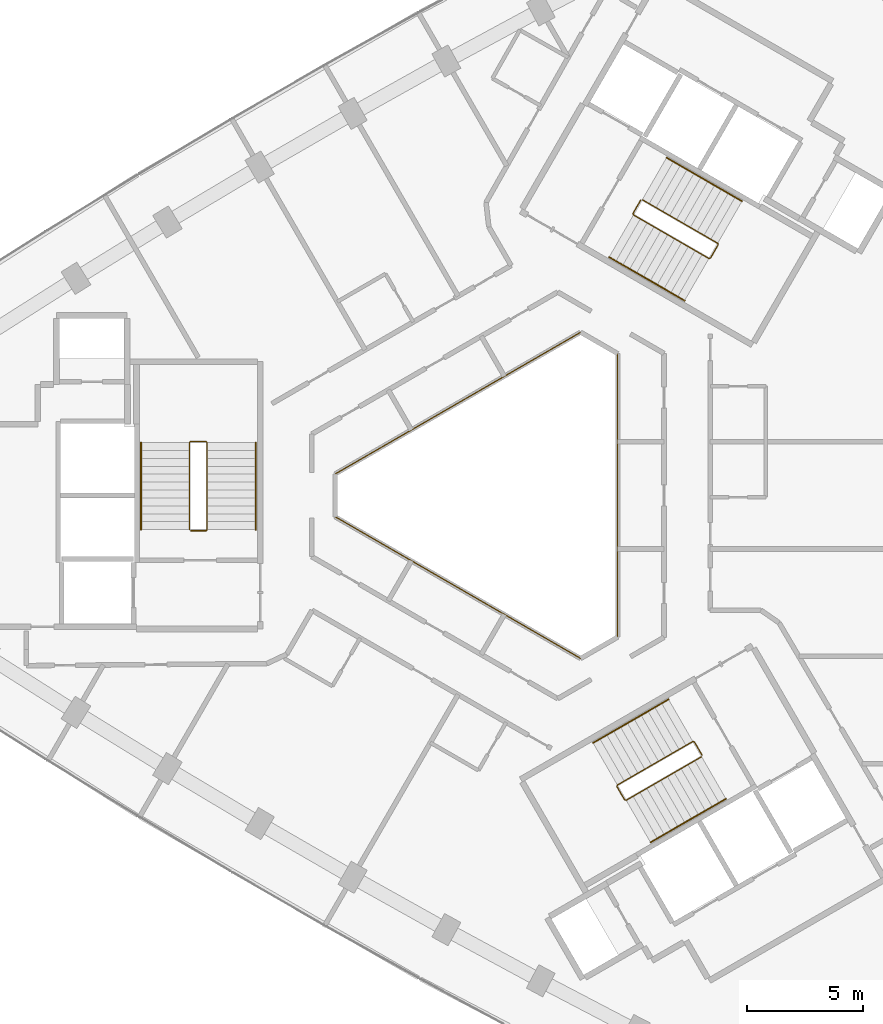
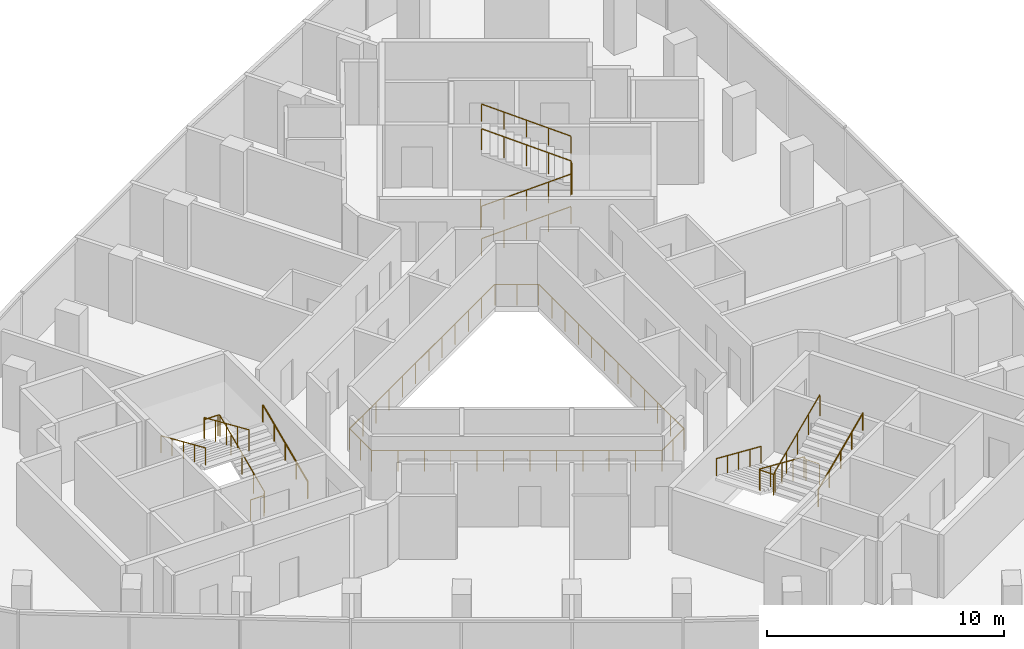
# One storey, part 12 of 12: 10 railings.
"""IFC4 building model written with IfcOpenShell, lengths in metres."""

from ifc_helpers import new_model, si_unit, direction, frame, origin, origin_2d, place, context, subcontext, project, spatial, circle, extrude, material, type_object, element, save


model = new_model("IFC4")

# Units and contexts
model_context = context("Model", 3, precision=1e-05, world=origin(), true_north=direction((0.0, 1.0)))
body_context = subcontext(model_context, "Body", "Model", "MODEL_VIEW")
ifc_project = project(units=[si_unit("LENGTHUNIT", "METRE"), si_unit("AREAUNIT", "SQUARE_METRE"), si_unit("VOLUMEUNIT", "CUBIC_METRE"), si_unit("PLANEANGLEUNIT", "RADIAN"), si_unit("MASSUNIT", "GRAM", prefix="KILO")], contexts=[model_context])

# Site, building, storey
site_placement = place(None, origin())
site = spatial("IfcSite", under=ifc_project, at=site_placement, CompositionType="ELEMENT")
building_placement = place(site_placement, origin())
building = spatial("IfcBuilding", under=site, at=building_placement, Name="Tamra Quay Hotel Tower", CompositionType="ELEMENT")
storey_placement = place(building_placement, frame((0.0, 0.0, 200.800048828125)))
storey = spatial("IfcBuildingStorey", under=building, at=storey_placement, Name="L50", CompositionType="ELEMENT", Elevation=200.800048828125)

# Railings
ifc_material_1 = material(Name="Guard atrium edge 1100")
railing_type_1 = type_object("IfcRailingType", Name="Guard atrium edge 1100", PredefinedType="GUARDRAIL", material=ifc_material_1)
railing_1_placement = place(storey_placement, frame((4.60009765625, -6.1201171875, 0.0)))
element("IfcRailing", 1, at=railing_1_placement, inside=storey, type_object=railing_type_1, Name="G-A", PredefinedType="GUARDRAIL", context=body_context, shape_type="SweptSolid", body=[
    extrude(circle(Radius=0.02392578125, at=origin_2d()), frame((0.0, 0.0, 1.076171875), z_axis=(-0.86602275259, -0.500004591975, 0.0), x_axis=(0.500004591975, -0.86602275259, 0.0)), (0.0, 0.0, 1.0), 1.84765625),
    extrude(circle(Radius=0.02392578125, at=origin_2d()), frame((-1.60009765625, -0.923828125, 1.076171875), z_axis=(-0.866028806638, 0.499994106039, 0.0), x_axis=(-0.499994106039, -0.866028806638, 0.0)), (0.0, 0.0, 1.0), 12.239990234375),
    extrude(circle(Radius=0.02392578125, at=origin_2d()), frame((-12.2001953125, 5.196044921875, 1.076171875), z_axis=(0.0, 1.0, 0.0), x_axis=(-1.0, 0.0, 0.0)), (0.0, 0.0, 1.0), 1.84814453125),
    extrude(circle(Radius=0.02392578125, at=origin_2d()), frame((-12.2001953125, 7.044189453125, 1.076171875), z_axis=(0.866028806638, 0.499994106039, 0.0), x_axis=(-0.499994106039, 0.866028806638, 0.0)), (0.0, 0.0, 1.0), 12.239990234375),
    extrude(circle(Radius=0.02392578125, at=origin_2d()), frame((-1.60009765625, 13.1640625, 1.076171875), z_axis=(0.86602275259, -0.500004591975, 0.0), x_axis=(0.500004591975, 0.86602275259, 0.0)), (0.0, 0.0, 1.0), 1.84765625),
    extrude(circle(Radius=0.02392578125, at=origin_2d()), frame((0.0, 12.240234375, 1.076171875), z_axis=(0.0, -1.0, 0.0), x_axis=(1.0, 0.0, 0.0)), (0.0, 0.0, 1.0), 12.240234375),
    extrude(circle(Radius=0.02099609375, at=origin_2d()), origin(), (0.0, 0.0, 1.0), 1.052001953125),
    extrude(circle(Radius=0.02099609375, at=origin_2d()), frame((-0.800048828125, -0.4619140625, 0.0)), (0.0, 0.0, 1.0), 1.052001953125),
    extrude(circle(Radius=0.02099609375, at=origin_2d()), frame((-1.60009765625, -0.923828125, 0.0)), (0.0, 0.0, 1.0), 1.052001953125),
    extrude(circle(Radius=0.02099609375, at=origin_2d()), frame((-2.563720703125, -0.367431640625, 0.0)), (0.0, 0.0, 1.0), 1.052001953125),
    extrude(circle(Radius=0.02099609375, at=origin_2d()), frame((-3.52734375, 0.18896484375, 0.0)), (0.0, 0.0, 1.0), 1.052001953125),
    extrude(circle(Radius=0.02099609375, at=origin_2d()), frame((-4.490966796875, 0.7451171875, 0.0)), (0.0, 0.0, 1.0), 1.052001953125),
    extrude(circle(Radius=0.02099609375, at=origin_2d()), frame((-5.45458984375, 1.301513671875, 0.0)), (0.0, 0.0, 1.0), 1.052001953125),
    extrude(circle(Radius=0.02099609375, at=origin_2d()), frame((-6.418212890625, 1.85791015625, 0.0)), (0.0, 0.0, 1.0), 1.052001953125),
    extrude(circle(Radius=0.02099609375, at=origin_2d()), frame((-7.382080078125, 2.414306640625, 0.0)), (0.0, 0.0, 1.0), 1.052001953125),
    extrude(circle(Radius=0.02099609375, at=origin_2d()), frame((-8.345703125, 2.970703125, 0.0)), (0.0, 0.0, 1.0), 1.052001953125),
    extrude(circle(Radius=0.02099609375, at=origin_2d()), frame((-9.309326171875, 3.527099609375, 0.0)), (0.0, 0.0, 1.0), 1.052001953125),
    extrude(circle(Radius=0.02099609375, at=origin_2d()), frame((-10.27294921875, 4.083251953125, 0.0)), (0.0, 0.0, 1.0), 1.052001953125),
    extrude(circle(Radius=0.02099609375, at=origin_2d()), frame((-11.236572265625, 4.6396484375, 0.0)), (0.0, 0.0, 1.0), 1.052001953125),
    extrude(circle(Radius=0.02099609375, at=origin_2d()), frame((-12.2001953125, 5.196044921875, 0.0)), (0.0, 0.0, 1.0), 1.052001953125),
    extrude(circle(Radius=0.02099609375, at=origin_2d()), frame((-12.2001953125, 6.1201171875, 0.0)), (0.0, 0.0, 1.0), 1.052001953125),
    extrude(circle(Radius=0.02099609375, at=origin_2d()), frame((-12.2001953125, 7.044189453125, 0.0)), (0.0, 0.0, 1.0), 1.052001953125),
    extrude(circle(Radius=0.02099609375, at=origin_2d()), frame((-11.236572265625, 7.6005859375, 0.0)), (0.0, 0.0, 1.0), 1.052001953125),
    extrude(circle(Radius=0.02099609375, at=origin_2d()), frame((-10.27294921875, 8.156982421875, 0.0)), (0.0, 0.0, 1.0), 1.052001953125),
    extrude(circle(Radius=0.02099609375, at=origin_2d()), frame((-9.309326171875, 8.713134765625, 0.0)), (0.0, 0.0, 1.0), 1.052001953125),
    extrude(circle(Radius=0.02099609375, at=origin_2d()), frame((-8.345703125, 9.26953125, 0.0)), (0.0, 0.0, 1.0), 1.052001953125),
    extrude(circle(Radius=0.02099609375, at=origin_2d()), frame((-7.382080078125, 9.825927734375, 0.0)), (0.0, 0.0, 1.0), 1.052001953125),
    extrude(circle(Radius=0.02099609375, at=origin_2d()), frame((-6.418212890625, 10.38232421875, 0.0)), (0.0, 0.0, 1.0), 1.052001953125),
    extrude(circle(Radius=0.02099609375, at=origin_2d()), frame((-5.45458984375, 10.938720703125, 0.0)), (0.0, 0.0, 1.0), 1.052001953125),
    extrude(circle(Radius=0.02099609375, at=origin_2d()), frame((-4.490966796875, 11.4951171875, 0.0)), (0.0, 0.0, 1.0), 1.052001953125),
    extrude(circle(Radius=0.02099609375, at=origin_2d()), frame((-3.52734375, 12.05126953125, 0.0)), (0.0, 0.0, 1.0), 1.052001953125),
    extrude(circle(Radius=0.02099609375, at=origin_2d()), frame((-2.563720703125, 12.607666015625, 0.0)), (0.0, 0.0, 1.0), 1.052001953125),
    extrude(circle(Radius=0.02099609375, at=origin_2d()), frame((-1.60009765625, 13.1640625, 0.0)), (0.0, 0.0, 1.0), 1.052001953125),
    extrude(circle(Radius=0.02099609375, at=origin_2d()), frame((-0.800048828125, 12.7021484375, 0.0)), (0.0, 0.0, 1.0), 1.052001953125),
    extrude(circle(Radius=0.02099609375, at=origin_2d()), frame((0.0, 12.240234375, 0.0)), (0.0, 0.0, 1.0), 1.052001953125),
    extrude(circle(Radius=0.02099609375, at=origin_2d()), frame((0.0, 11.12744140625, 0.0)), (0.0, 0.0, 1.0), 1.052001953125),
    extrude(circle(Radius=0.02099609375, at=origin_2d()), frame((0.0, 10.0146484375, 0.0)), (0.0, 0.0, 1.0), 1.052001953125),
    extrude(circle(Radius=0.02099609375, at=origin_2d()), frame((0.0, 8.902099609375, 0.0)), (0.0, 0.0, 1.0), 1.052001953125),
    extrude(circle(Radius=0.02099609375, at=origin_2d()), frame((0.0, 7.789306640625, 0.0)), (0.0, 0.0, 1.0), 1.052001953125),
    extrude(circle(Radius=0.02099609375, at=origin_2d()), frame((0.0, 6.676513671875, 0.0)), (0.0, 0.0, 1.0), 1.052001953125),
    extrude(circle(Radius=0.02099609375, at=origin_2d()), frame((0.0, 5.563720703125, 0.0)), (0.0, 0.0, 1.0), 1.052001953125),
    extrude(circle(Radius=0.02099609375, at=origin_2d()), frame((0.0, 4.450927734375, 0.0)), (0.0, 0.0, 1.0), 1.052001953125),
    extrude(circle(Radius=0.02099609375, at=origin_2d()), frame((0.0, 3.338134765625, 0.0)), (0.0, 0.0, 1.0), 1.052001953125),
    extrude(circle(Radius=0.02099609375, at=origin_2d()), frame((0.0, 2.2255859375, 0.0)), (0.0, 0.0, 1.0), 1.052001953125),
    extrude(circle(Radius=0.02099609375, at=origin_2d()), frame((0.0, 1.11279296875, 0.0)), (0.0, 0.0, 1.0), 1.052001953125),
])
ifc_material_2 = material(Name="Stair guard 1100")
railing_type_2 = type_object("IfcRailingType", Name="Stair guard 1100", PredefinedType="GUARDRAIL", material=ifc_material_2)
railing_2_placement = place(storey_placement, frame((-13.84130859375, -1.530029296875, 0.0)))
element("IfcRailing", 2, at=railing_2_placement, inside=storey, type_object=railing_type_2, Name="GR", PredefinedType="GUARDRAIL", context=body_context, shape_type="SweptSolid", body=[
    extrude(circle(Radius=0.02392578125, at=origin_2d()), frame((0.0, 0.0, 1.076171875), z_axis=(1.0, 0.0, 0.0), x_axis=(0.0, 1.0, 0.0)), (0.0, 0.0, 1.0), 0.658935546875),
    extrude(circle(Radius=0.02392578125, at=origin_2d()), frame((0.658935546875, 0.0, 1.076171875), z_axis=(0.301912943143, 0.301912943143, 0.904266083366), x_axis=(-0.707106781187, 0.707106781187, 0.0)), (0.0, 0.0, 1.0), 0.165771484375),
    extrude(circle(Radius=0.02392578125, at=origin_2d()), frame((0.708984375, 0.050048828125, 1.22607421875), z_axis=(0.0, 0.915773634228, 0.401694723457), x_axis=(-1.0, 0.0, 0.0)), (0.0, 0.0, 1.0), 4.10791015625),
    extrude(circle(Radius=0.02392578125, at=origin_2d()), frame((0.708984375, 3.81201171875, 2.8759765625), z_axis=(-0.708833529934, 0.705375805398, 0.0), x_axis=(-0.705375805398, -0.708833529934, 0.0)), (0.0, 0.0, 1.0), 0.070556640625),
    extrude(circle(Radius=0.02392578125, at=origin_2d()), frame((0.658935546875, 3.86181640625, 2.8759765625), z_axis=(-1.0, 0.0, 0.0), x_axis=(0.0, -1.0, 0.0)), (0.0, 0.0, 1.0), 0.658935546875),
    extrude(circle(Radius=0.02392578125, at=origin_2d()), frame((0.0, 3.86181640625, 2.8759765625), z_axis=(-0.302046947789, -0.300573548044, 0.904667443621), x_axis=(0.705375805398, -0.708833529934, 0.0)), (0.0, 0.0, 1.0), 0.165771484375),
    extrude(circle(Radius=0.02392578125, at=origin_2d()), frame((-0.050048828125, 3.81201171875, 3.02587890625), z_axis=(0.0, -0.915795495799, 0.401644880304), x_axis=(1.0, 0.0, 0.0)), (0.0, 0.0, 1.0), 4.10791015625),
    extrude(circle(Radius=0.02099609375, at=origin_2d()), origin(), (0.0, 0.0, 1.0), 1.052001953125),
    extrude(circle(Radius=0.02099609375, at=origin_2d()), frame((0.658935546875, 0.0, 0.0)), (0.0, 0.0, 1.0), 1.052001953125),
    extrude(circle(Radius=0.02099609375, at=origin_2d()), frame((0.708984375, 0.050048828125, 0.14990234375)), (0.0, 0.0, 1.0), 1.052001953125),
    extrude(circle(Radius=0.02099609375, at=origin_2d()), frame((0.708984375, 0.990478515625, 0.5625)), (0.0, 0.0, 1.0), 1.052001953125),
    extrude(circle(Radius=0.02099609375, at=origin_2d()), frame((0.708984375, 1.93115234375, 0.97509765625)), (0.0, 0.0, 1.0), 1.052001953125),
    extrude(circle(Radius=0.02099609375, at=origin_2d()), frame((0.708984375, 2.87158203125, 1.387451171875)), (0.0, 0.0, 1.0), 1.052001953125),
    extrude(circle(Radius=0.02099609375, at=origin_2d()), frame((0.708984375, 3.81201171875, 1.800048828125)), (0.0, 0.0, 1.0), 1.052001953125),
    extrude(circle(Radius=0.02099609375, at=origin_2d()), frame((0.658935546875, 3.86181640625, 1.800048828125)), (0.0, 0.0, 1.0), 1.052001953125),
    extrude(circle(Radius=0.02099609375, at=origin_2d()), frame((0.0, 3.86181640625, 1.800048828125)), (0.0, 0.0, 1.0), 1.052001953125),
    extrude(circle(Radius=0.02099609375, at=origin_2d()), frame((-0.050048828125, 3.81201171875, 1.949951171875)), (0.0, 0.0, 1.0), 1.052001953125),
    extrude(circle(Radius=0.02099609375, at=origin_2d()), frame((-0.050048828125, 2.87158203125, 2.3623046875)), (0.0, 0.0, 1.0), 1.052001953125),
    extrude(circle(Radius=0.02099609375, at=origin_2d()), frame((-0.050048828125, 1.93115234375, 2.77490234375)), (0.0, 0.0, 1.0), 1.052001953125),
    extrude(circle(Radius=0.02099609375, at=origin_2d()), frame((-0.050048828125, 0.990478515625, 3.1875)), (0.0, 0.0, 1.0), 1.052001953125),
    extrude(circle(Radius=0.02099609375, at=origin_2d()), frame((-0.050048828125, 0.050048828125, 3.599853515625)), (0.0, 0.0, 1.0), 1.052001953125),
])
railing_3_placement = place(storey_placement, frame((5.595458984375, 12.751953125, 0.0)))
element("IfcRailing", 3, at=railing_3_placement, inside=storey, type_object=railing_type_2, Name="GR", PredefinedType="GUARDRAIL", context=body_context, shape_type="SweptSolid", body=[
    extrude(circle(Radius=0.02392578125, at=origin_2d()), frame((0.0, 0.0, 1.076171875), z_axis=(-0.499765215335, -0.866160914346, 0.0), x_axis=(0.866160914346, -0.499765215335, 0.0)), (0.0, 0.0, 1.0), 0.658935546875),
    extrude(circle(Radius=0.02392578125, at=origin_2d()), frame((-0.329345703125, -0.57080078125, 1.076171875), z_axis=(0.110525977783, -0.411156637351, 0.904839338113), x_axis=(0.965715946433, 0.259601060869, 0.0)), (0.0, 0.0, 1.0), 0.165771484375),
    extrude(circle(Radius=0.02392578125, at=origin_2d()), frame((-0.31103515625, -0.638916015625, 1.22607421875), z_axis=(0.79305953016, -0.457922937641, 0.401700342053), x_axis=(0.500040788363, 0.866001853331, 0.0)), (0.0, 0.0, 1.0), 4.10791015625),
    extrude(circle(Radius=0.02392578125, at=origin_2d()), frame((2.94677734375, -2.52001953125, 2.8759765625), z_axis=(0.965948051503, 0.258736085224, 0.0), x_axis=(-0.258736085224, 0.965948051503, 0.0)), (0.0, 0.0, 1.0), 0.07080078125),
    extrude(circle(Radius=0.02392578125, at=origin_2d()), frame((3.01513671875, -2.501708984375, 2.8759765625), z_axis=(0.500043078269, 0.866000531106, 0.0), x_axis=(-0.866000531106, 0.500043078269, 0.0)), (0.0, 0.0, 1.0), 0.6591796875),
    extrude(circle(Radius=0.02392578125, at=origin_2d()), frame((3.3447265625, -1.930908203125, 2.8759765625), z_axis=(-0.110525977783, 0.411156637351, 0.904839338113), x_axis=(-0.965715946433, -0.259601060869, 0.0)), (0.0, 0.0, 1.0), 0.165771484375),
    extrude(circle(Radius=0.02392578125, at=origin_2d()), frame((3.326416015625, -1.86279296875, 3.02587890625), z_axis=(-0.793100512587, 0.457912285461, 0.401631567183), x_axis=(-0.500012686397, -0.866018079166, 0.0)), (0.0, 0.0, 1.0), 4.10791015625),
    extrude(circle(Radius=0.02099609375, at=origin_2d()), origin(), (0.0, 0.0, 1.0), 1.052001953125),
    extrude(circle(Radius=0.02099609375, at=origin_2d()), frame((-0.329345703125, -0.57080078125, 0.0)), (0.0, 0.0, 1.0), 1.052001953125),
    extrude(circle(Radius=0.02099609375, at=origin_2d()), frame((-0.31103515625, -0.638916015625, 0.14990234375)), (0.0, 0.0, 1.0), 1.052001953125),
    extrude(circle(Radius=0.02099609375, at=origin_2d()), frame((0.50341796875, -1.109130859375, 0.5625)), (0.0, 0.0, 1.0), 1.052001953125),
    extrude(circle(Radius=0.02099609375, at=origin_2d()), frame((1.31787109375, -1.57958984375, 0.97509765625)), (0.0, 0.0, 1.0), 1.052001953125),
    extrude(circle(Radius=0.02099609375, at=origin_2d()), frame((2.13232421875, -2.0498046875, 1.387451171875)), (0.0, 0.0, 1.0), 1.052001953125),
    extrude(circle(Radius=0.02099609375, at=origin_2d()), frame((2.94677734375, -2.52001953125, 1.800048828125)), (0.0, 0.0, 1.0), 1.052001953125),
    extrude(circle(Radius=0.02099609375, at=origin_2d()), frame((3.01513671875, -2.501708984375, 1.800048828125)), (0.0, 0.0, 1.0), 1.052001953125),
    extrude(circle(Radius=0.02099609375, at=origin_2d()), frame((3.3447265625, -1.930908203125, 1.800048828125)), (0.0, 0.0, 1.0), 1.052001953125),
    extrude(circle(Radius=0.02099609375, at=origin_2d()), frame((3.326416015625, -1.86279296875, 1.949951171875)), (0.0, 0.0, 1.0), 1.052001953125),
    extrude(circle(Radius=0.02099609375, at=origin_2d()), frame((2.511962890625, -1.392578125, 2.3623046875)), (0.0, 0.0, 1.0), 1.052001953125),
    extrude(circle(Radius=0.02099609375, at=origin_2d()), frame((1.697265625, -0.92236328125, 2.77490234375)), (0.0, 0.0, 1.0), 1.052001953125),
    extrude(circle(Radius=0.02099609375, at=origin_2d()), frame((0.8828125, -0.451904296875, 3.1875)), (0.0, 0.0, 1.0), 1.052001953125),
    extrude(circle(Radius=0.02099609375, at=origin_2d()), frame((0.068359375, 0.018310546875, 3.599853515625)), (0.0, 0.0, 1.0), 1.052001953125),
])
railing_4_placement = place(storey_placement, frame((8.245849609375, -11.221923828125, 0.0)))
element("IfcRailing", 4, at=railing_4_placement, inside=storey, type_object=railing_type_2, Name="GR", PredefinedType="GUARDRAIL", context=body_context, shape_type="SweptSolid", body=[
    extrude(circle(Radius=0.02392578125, at=origin_2d()), frame((0.0, 0.0, 1.076171875), z_axis=(-0.500043078269, 0.866000531106, 0.0), x_axis=(-0.866000531106, -0.500043078269, 0.0)), (0.0, 0.0, 1.0), 0.6591796875),
    extrude(circle(Radius=0.02392578125, at=origin_2d()), frame((-0.32958984375, 0.57080078125, 1.076171875), z_axis=(-0.41238007866, 0.110458949641, 0.904290601062), x_axis=(-0.258736085224, -0.965948051503, 0.0)), (0.0, 0.0, 1.0), 0.165771484375),
    extrude(circle(Radius=0.02392578125, at=origin_2d()), frame((-0.39794921875, 0.589111328125, 1.22607421875), z_axis=(-0.793081581205, -0.457901355053, 0.401681409319), x_axis=(0.500012686397, -0.866018079166, 0.0)), (0.0, 0.0, 1.0), 4.108154296875),
    extrude(circle(Radius=0.02392578125, at=origin_2d()), frame((-3.656005859375, -1.2919921875, 2.8759765625), z_axis=(-0.256368644879, -0.966579080015, 0.0), x_axis=(0.966579080015, -0.256368644879, 0.0)), (0.0, 0.0, 1.0), 0.070556640625),
    extrude(circle(Radius=0.02392578125, at=origin_2d()), frame((-3.674072265625, -1.360107421875, 2.8759765625), z_axis=(0.499765215335, -0.866160914346, 0.0), x_axis=(0.866160914346, 0.499765215335, 0.0)), (0.0, 0.0, 1.0), 0.658935546875),
    extrude(circle(Radius=0.02392578125, at=origin_2d()), frame((-3.3447265625, -1.930908203125, 2.8759765625), z_axis=(0.41238007866, -0.110458949641, 0.904290601062), x_axis=(0.258736085224, 0.965948051503, 0.0)), (0.0, 0.0, 1.0), 0.165771484375),
    extrude(circle(Radius=0.02392578125, at=origin_2d()), frame((-3.2763671875, -1.94921875, 3.02587890625), z_axis=(0.793100512587, 0.457912285461, 0.401631567183), x_axis=(-0.500012686397, 0.866018079166, 0.0)), (0.0, 0.0, 1.0), 4.10791015625),
    extrude(circle(Radius=0.02099609375, at=origin_2d()), origin(), (0.0, 0.0, 1.0), 1.052001953125),
    extrude(circle(Radius=0.02099609375, at=origin_2d()), frame((-0.32958984375, 0.57080078125, 0.0)), (0.0, 0.0, 1.0), 1.052001953125),
    extrude(circle(Radius=0.02099609375, at=origin_2d()), frame((-0.39794921875, 0.589111328125, 0.14990234375)), (0.0, 0.0, 1.0), 1.052001953125),
    extrude(circle(Radius=0.02099609375, at=origin_2d()), frame((-1.21240234375, 0.118896484375, 0.5625)), (0.0, 0.0, 1.0), 1.052001953125),
    extrude(circle(Radius=0.02099609375, at=origin_2d()), frame((-2.02685546875, -0.3515625, 0.97509765625)), (0.0, 0.0, 1.0), 1.052001953125),
    extrude(circle(Radius=0.02099609375, at=origin_2d()), frame((-2.841552734375, -0.82177734375, 1.387451171875)), (0.0, 0.0, 1.0), 1.052001953125),
    extrude(circle(Radius=0.02099609375, at=origin_2d()), frame((-3.656005859375, -1.2919921875, 1.800048828125)), (0.0, 0.0, 1.0), 1.052001953125),
    extrude(circle(Radius=0.02099609375, at=origin_2d()), frame((-3.674072265625, -1.360107421875, 1.800048828125)), (0.0, 0.0, 1.0), 1.052001953125),
    extrude(circle(Radius=0.02099609375, at=origin_2d()), frame((-3.3447265625, -1.930908203125, 1.800048828125)), (0.0, 0.0, 1.0), 1.052001953125),
    extrude(circle(Radius=0.02099609375, at=origin_2d()), frame((-3.2763671875, -1.94921875, 1.949951171875)), (0.0, 0.0, 1.0), 1.052001953125),
    extrude(circle(Radius=0.02099609375, at=origin_2d()), frame((-2.4619140625, -1.47900390625, 2.3623046875)), (0.0, 0.0, 1.0), 1.052001953125),
    extrude(circle(Radius=0.02099609375, at=origin_2d()), frame((-1.6474609375, -1.0087890625, 2.77490234375)), (0.0, 0.0, 1.0), 1.052001953125),
    extrude(circle(Radius=0.02099609375, at=origin_2d()), frame((-0.832763671875, -0.538330078125, 3.1875)), (0.0, 0.0, 1.0), 1.052001953125),
    extrude(circle(Radius=0.02099609375, at=origin_2d()), frame((-0.018310546875, -0.068115234375, 3.599853515625)), (0.0, 0.0, 1.0), 1.052001953125),
])
ifc_material_3 = material(Name="Stair handrail 900")
railing_type_3 = type_object("IfcRailingType", Name="Stair handrail 900", PredefinedType="HANDRAIL", material=ifc_material_3)
railing_5_placement = place(storey_placement, frame((-11.0322265625, -1.47998046875, 0.14990234375)))
element("IfcRailing", 5, at=railing_5_placement, inside=storey, type_object=railing_type_3, Name="HR", PredefinedType="HANDRAIL", context=body_context, shape_type="SweptSolid", body=[
    extrude(circle(Radius=0.02392578125, at=origin_2d()), frame((0.0, 0.0, 0.8759765625), z_axis=(0.0, 0.915773634228, 0.401694723457), x_axis=(-1.0, 0.0, 0.0)), (0.0, 0.0, 1.0), 4.10791015625),
    extrude(circle(Radius=0.02099609375, at=origin_2d()), origin(), (0.0, 0.0, 1.0), 0.851806640625),
    extrude(circle(Radius=0.02099609375, at=origin_2d()), frame((0.0, 0.9404296875, 0.41259765625)), (0.0, 0.0, 1.0), 0.851806640625),
    extrude(circle(Radius=0.02099609375, at=origin_2d()), frame((0.0, 1.880859375, 0.8251953125)), (0.0, 0.0, 1.0), 0.851806640625),
    extrude(circle(Radius=0.02099609375, at=origin_2d()), frame((0.0, 2.821533203125, 1.237548828125)), (0.0, 0.0, 1.0), 0.851806640625),
    extrude(circle(Radius=0.02099609375, at=origin_2d()), frame((0.0, 3.761962890625, 1.650146484375)), (0.0, 0.0, 1.0), 0.851806640625),
])
railing_6_placement = place(storey_placement, frame((-15.9912109375, 2.281982421875, 1.949951171875)))
element("IfcRailing", 6, at=railing_6_placement, inside=storey, type_object=railing_type_3, Name="HR", PredefinedType="HANDRAIL", context=body_context, shape_type="SweptSolid", body=[
    extrude(circle(Radius=0.02392578125, at=origin_2d()), frame((0.0, 0.0, 0.8759765625), z_axis=(0.0, -0.915795495799, 0.401644880304), x_axis=(1.0, 0.0, 0.0)), (0.0, 0.0, 1.0), 4.10791015625),
    extrude(circle(Radius=0.02099609375, at=origin_2d()), origin(), (0.0, 0.0, 1.0), 0.851806640625),
    extrude(circle(Radius=0.02099609375, at=origin_2d()), frame((0.0, -0.9404296875, 0.41259765625)), (0.0, 0.0, 1.0), 0.851806640625),
    extrude(circle(Radius=0.02099609375, at=origin_2d()), frame((0.0, -1.880859375, 0.824951171875)), (0.0, 0.0, 1.0), 0.851806640625),
    extrude(circle(Radius=0.02099609375, at=origin_2d()), frame((0.0, -2.821533203125, 1.2373046875)), (0.0, 0.0, 1.0), 0.851806640625),
    extrude(circle(Radius=0.02099609375, at=origin_2d()), frame((0.0, -3.761962890625, 1.64990234375)), (0.0, 0.0, 1.0), 0.851806640625),
])
railing_7_placement = place(storey_placement, frame((4.234375, 10.294189453125, 0.14990234375)))
element("IfcRailing", 7, at=railing_7_placement, inside=storey, type_object=railing_type_3, Name="HR", PredefinedType="HANDRAIL", context=body_context, shape_type="SweptSolid", body=[
    extrude(circle(Radius=0.02392578125, at=origin_2d()), frame((0.0, 0.0, 0.8759765625), z_axis=(0.793103162556, -0.457854384738, 0.401692339881), x_axis=(0.499964013922, 0.86604617936, 0.0)), (0.0, 0.0, 1.0), 4.10791015625),
    extrude(circle(Radius=0.02099609375, at=origin_2d()), origin(), (0.0, 0.0, 1.0), 0.851806640625),
    extrude(circle(Radius=0.02099609375, at=origin_2d()), frame((0.814453125, -0.47021484375, 0.41259765625)), (0.0, 0.0, 1.0), 0.851806640625),
    extrude(circle(Radius=0.02099609375, at=origin_2d()), frame((1.62890625, -0.9404296875, 0.8251953125)), (0.0, 0.0, 1.0), 0.851806640625),
    extrude(circle(Radius=0.02099609375, at=origin_2d()), frame((2.443603515625, -1.41064453125, 1.237548828125)), (0.0, 0.0, 1.0), 0.851806640625),
    extrude(circle(Radius=0.02099609375, at=origin_2d()), frame((3.258056640625, -1.880859375, 1.650146484375)), (0.0, 0.0, 1.0), 0.851806640625),
])
railing_8_placement = place(storey_placement, frame((9.971923828125, 12.7080078125, 1.949951171875)))
element("IfcRailing", 8, at=railing_8_placement, inside=storey, type_object=railing_type_3, Name="HR", PredefinedType="HANDRAIL", context=body_context, shape_type="SweptSolid", body=[
    extrude(circle(Radius=0.02392578125, at=origin_2d()), frame((0.0, 0.0, 0.8759765625), z_axis=(-0.793122095483, 0.45786531462, 0.401642496911), x_axis=(-0.499964013922, -0.86604617936, 0.0)), (0.0, 0.0, 1.0), 4.10791015625),
    extrude(circle(Radius=0.02099609375, at=origin_2d()), origin(), (0.0, 0.0, 1.0), 0.851806640625),
    extrude(circle(Radius=0.02099609375, at=origin_2d()), frame((-0.814453125, 0.47021484375, 0.41259765625)), (0.0, 0.0, 1.0), 0.851806640625),
    extrude(circle(Radius=0.02099609375, at=origin_2d()), frame((-1.62890625, 0.9404296875, 0.824951171875)), (0.0, 0.0, 1.0), 0.851806640625),
    extrude(circle(Radius=0.02099609375, at=origin_2d()), frame((-2.443603515625, 1.41064453125, 1.2373046875)), (0.0, 0.0, 1.0), 0.851806640625),
    extrude(circle(Radius=0.02099609375, at=origin_2d()), frame((-3.258056640625, 1.880859375, 1.64990234375)), (0.0, 0.0, 1.0), 0.851806640625),
])
railing_9_placement = place(storey_placement, frame((6.7978515625, -8.814208984375, 0.14990234375)))
element("IfcRailing", 9, at=railing_9_placement, inside=storey, type_object=railing_type_3, Name="HR", PredefinedType="HANDRAIL", context=body_context, shape_type="SweptSolid", body=[
    extrude(circle(Radius=0.02392578125, at=origin_2d()), frame((0.0, 0.0, 0.8759765625), z_axis=(-0.793081112945, -0.457875966286, 0.40171127416), x_axis=(0.499992114976, -0.866029956157, 0.0)), (0.0, 0.0, 1.0), 4.10791015625),
    extrude(circle(Radius=0.02099609375, at=origin_2d()), origin(), (0.0, 0.0, 1.0), 0.851806640625),
    extrude(circle(Radius=0.02099609375, at=origin_2d()), frame((-0.814453125, -0.47021484375, 0.41259765625)), (0.0, 0.0, 1.0), 0.851806640625),
    extrude(circle(Radius=0.02099609375, at=origin_2d()), frame((-1.62890625, -0.9404296875, 0.8251953125)), (0.0, 0.0, 1.0), 0.851806640625),
    extrude(circle(Radius=0.02099609375, at=origin_2d()), frame((-2.443359375, -1.41064453125, 1.237548828125)), (0.0, 0.0, 1.0), 0.851806640625),
    extrude(circle(Radius=0.02099609375, at=origin_2d()), frame((-3.2578125, -1.880859375, 1.650146484375)), (0.0, 0.0, 1.0), 0.851806640625),
])
railing_10_placement = place(storey_placement, frame((6.01953125, -14.98974609375, 1.949951171875)))
element("IfcRailing", 10, at=railing_10_placement, inside=storey, type_object=railing_type_3, Name="HR", PredefinedType="HANDRAIL", context=body_context, shape_type="SweptSolid", body=[
    extrude(circle(Radius=0.02392578125, at=origin_2d()), frame((0.0, 0.0, 0.8759765625), z_axis=(0.79310004713, 0.457886897714, 0.401661429744), x_axis=(-0.499992114976, 0.866029956157, 0.0)), (0.0, 0.0, 1.0), 4.107666015625),
    extrude(circle(Radius=0.02099609375, at=origin_2d()), origin(), (0.0, 0.0, 1.0), 0.851806640625),
    extrude(circle(Radius=0.02099609375, at=origin_2d()), frame((0.814453125, 0.47021484375, 0.41259765625)), (0.0, 0.0, 1.0), 0.851806640625),
    extrude(circle(Radius=0.02099609375, at=origin_2d()), frame((1.62890625, 0.9404296875, 0.824951171875)), (0.0, 0.0, 1.0), 0.851806640625),
    extrude(circle(Radius=0.02099609375, at=origin_2d()), frame((2.443359375, 1.41064453125, 1.2373046875)), (0.0, 0.0, 1.0), 0.851806640625),
    extrude(circle(Radius=0.02099609375, at=origin_2d()), frame((3.2578125, 1.880859375, 1.64990234375)), (0.0, 0.0, 1.0), 0.851806640625),
])

save(model, "model.ifc")
